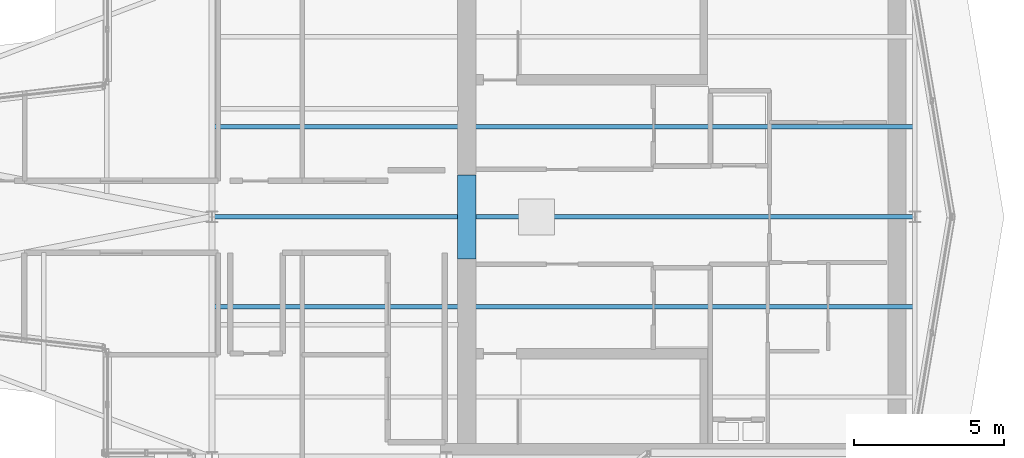
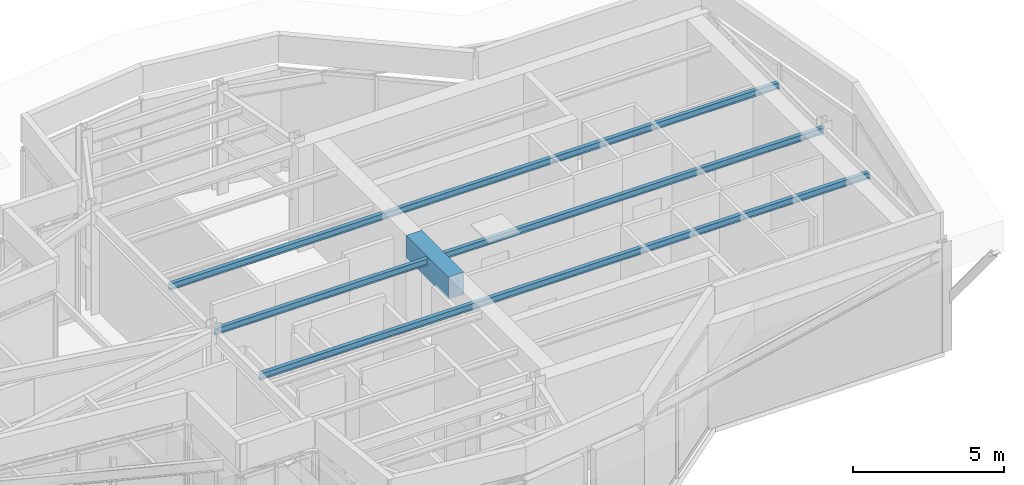
# One storey, part 4 of 11: 3 members, 1 beam.
"""IFC4 building model written with IfcOpenShell, lengths in metres."""

from ifc_helpers import new_model, si_unit, direction, frame, origin, origin_2d, place, context, subcontext, project, spatial, rectangle, i_section, extrude, material, material_profile, profile_set, type_object, element, save


model = new_model("IFC4")

# Units and contexts
model_context = context("Model", 3, precision=1e-05, world=origin(), true_north=direction((0.0, 1.0)))
body_context = subcontext(model_context, "Body", "Model", "MODEL_VIEW")
ifc_project = project(units=[si_unit("LENGTHUNIT", "METRE"), si_unit("AREAUNIT", "SQUARE_METRE"), si_unit("VOLUMEUNIT", "CUBIC_METRE"), si_unit("PLANEANGLEUNIT", "RADIAN"), si_unit("MASSUNIT", "GRAM", prefix="KILO")], contexts=[model_context])

# Site, building, storey
site_placement = place(None, origin())
site = spatial("IfcSite", under=ifc_project, at=site_placement, CompositionType="ELEMENT")
building_placement = place(site_placement, origin())
building = spatial("IfcBuilding", under=site, at=building_placement, Name="Veymaron Broadcast Tower", CompositionType="ELEMENT")
storey_placement = place(building_placement, frame((0.0, 0.0, 336.89990234375)))
storey = spatial("IfcBuildingStorey", under=building, at=storey_placement, Name="L79", CompositionType="ELEMENT", Elevation=336.89990234375)

# Beam
ifc_material_1 = material(Name="Concrete C60/75", Category="concrete")
ifc_material_profile_1 = material_profile(ifc_material_1, rectangle(XDim=0.60009765625, YDim=0.89990234375, at=origin_2d()), Name="RC600X900")
ifc_profile_set_1 = profile_set([ifc_material_profile_1], Name="Concrete C60/75")
beam_type = type_object("IfcBeamType", Name="BM-CB2", PredefinedType="LINTEL", material=ifc_profile_set_1)
beam_placement = place(storey_placement, frame((39.679931640625, 22.60009765625, 3.77001953125), z_axis=(0.0, 1.0, 0.0), x_axis=(-1.0, 0.0, 0.0)))
element("IfcBeam", 1, at=beam_placement, inside=storey, type_object=beam_type, Name="L79 Core Wall west coupling beam", PredefinedType="LINTEL", context=body_context, shape_type="SweptSolid", body=[
    extrude(rectangle(XDim=0.60009765625, YDim=0.89990234375, at=origin_2d()), origin(), (0.0, 0.0, 1.0), 2.7998046875),
])

# Members
ifc_material_2 = material(Name="Structural steel ASTM A992 Gr 50", Category="steel")
ifc_material_profile_2 = material_profile(ifc_material_2, i_section(OverallWidth=0.14599609375, OverallDepth=0.258056640625, WebThickness=0.006103515625, FlangeThickness=0.009033203125, at=origin_2d()), Name="W250X33")
ifc_profile_set_2 = profile_set([ifc_material_profile_2], Name="Structural steel ASTM A992 Gr 50")
member_type = type_object("IfcMemberType", Name="MEM-PR1", PredefinedType="PURLIN", material=ifc_profile_set_2)
for number, where, z_axis, x_axis, name in (
    (2, (31.199951171875, 21.0, 4.0400390625), (1.0, 0.0, 0.0), (0.0, 1.0, 0.0), "L79 Crown Parasol Canopy Purlin 2"),
    (3, (31.199951171875, 24.0, 4.0400390625), (1.0, 0.0, 0.0), (0.0, 1.0, 0.0), "L79 Crown Parasol Canopy Purlin 3"),
    (4, (31.199951171875, 27.0, 4.0400390625), (1.0, 0.0, 0.0), (0.0, 1.0, 0.0), "L79 Crown Parasol Canopy Purlin 4"),
):
    element("IfcMember", number, at=place(storey_placement, frame(where, z_axis=z_axis, x_axis=x_axis)), inside=storey, type_object=member_type, Name=name, PredefinedType="PURLIN", context=body_context, shape_type="SweptSolid", body=[
        extrude(i_section(OverallWidth=0.14599609375, OverallDepth=0.258056640625, WebThickness=0.006103515625, FlangeThickness=0.009033203125, at=origin_2d()), origin(), (0.0, 0.0, 1.0), 23.400146484375),
    ])

save(model, "model.ifc")
